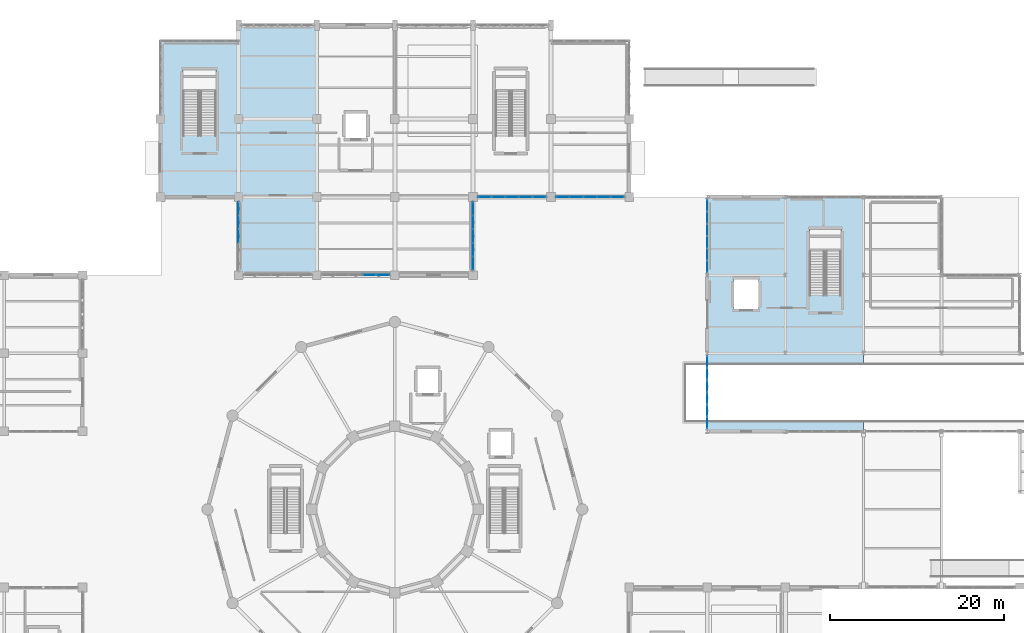
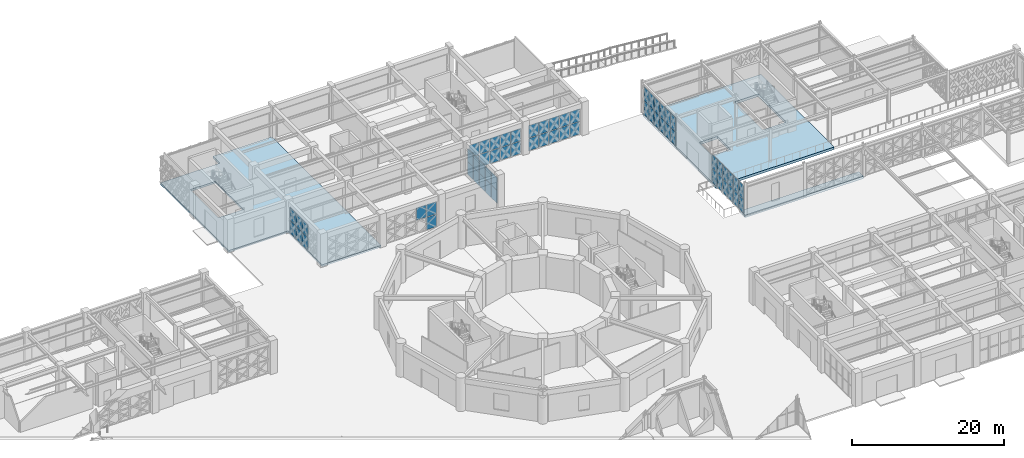
# One storey, part 108 of 140: 63 plates, 3 slabs, 7 elements without a shape of their own.
"""IFC4 building model written with IfcOpenShell, lengths in metres."""

from ifc_helpers import new_model, si_unit, direction, frame, origin, origin_2d, place, context, subcontext, project, spatial, polyline, rectangle, outline, extrude, material, layer, layer_set, type_object, element, aggregate, save


model = new_model("IFC4")

# Units and contexts
model_context = context("Model", 3, precision=1e-05, world=origin(), true_north=direction((0.0, 1.0)))
body_context = subcontext(model_context, "Body", "Model", "MODEL_VIEW")
ifc_project = project(units=[si_unit("LENGTHUNIT", "METRE"), si_unit("AREAUNIT", "SQUARE_METRE"), si_unit("VOLUMEUNIT", "CUBIC_METRE"), si_unit("PLANEANGLEUNIT", "RADIAN"), si_unit("MASSUNIT", "GRAM", prefix="KILO")], contexts=[model_context])

# Site, building, storey
site_placement = place(None, origin())
site = spatial("IfcSite", under=ifc_project, at=site_placement, CompositionType="ELEMENT")
building_placement = place(site_placement, origin())
building = spatial("IfcBuilding", under=site, at=building_placement, Name="Haizhuo Lancet Aquarium", CompositionType="ELEMENT")
storey_placement = place(building_placement, origin())
storey = spatial("IfcBuildingStorey", under=building, at=storey_placement, Name="L00", CompositionType="ELEMENT", Elevation=0.0)

# Curtain wall, plates
ifc_material_1 = material(Name="Aluminium 6063-T6", Category="aluminium")
curtain_wall_type_1 = type_object("IfcCurtainWallType", Name="CWO-7910x4220", PredefinedType="NOTDEFINED", material=ifc_material_1)
curtain_wall_1_placement = place(storey_placement, origin())
curtain_wall_1 = element("IfcCurtainWall", 1, at=curtain_wall_1_placement, inside=storey, type_object=curtain_wall_type_1, Name="L00 curtain wall CW-V5-L00-125", PredefinedType="NOTDEFINED")
ifc_material_2 = material(Name="Laminated Low-E Glass", Category="glass")
ifc_layer_1 = layer(ifc_material_2, 0.028076171875)
ifc_layer_set_1 = layer_set([ifc_layer_1], Name="Laminated Low-E Glass")
plate_type_1 = type_object("IfcPlateType", Name="CW-PNL-1", PredefinedType="CURTAIN_PANEL", material=ifc_layer_set_1)
plate_1_placement = place(storey_placement, frame((-1.35498046875, 27.0, 0.075439453125), z_axis=(0.0, 0.0, 1.0), x_axis=(-1.0, 0.0, 0.0)))
plate_1 = element("IfcPlate", 2, at=plate_1_placement, type_object=plate_type_1, Name="CWO-79x42 panel 1.1", PredefinedType="CURTAIN_PANEL", context=body_context, shape_type="SweptSolid", body=[
    extrude(rectangle(XDim=1.469970703125, YDim=0.028076171875, at=origin_2d()), origin(), (0.0, 0.0, 1.0), 1.9970703125),
])
plate_2_placement = place(storey_placement, frame((-1.35498046875, 27.0, 2.14697265625), z_axis=(0.0, 0.0, 1.0), x_axis=(-1.0, 0.0, 0.0)))
plate_2 = element("IfcPlate", 3, at=plate_2_placement, type_object=plate_type_1, Name="CWO-79x42 panel 1.2", PredefinedType="CURTAIN_PANEL", context=body_context, shape_type="SweptSolid", body=[
    extrude(rectangle(XDim=1.469970703125, YDim=0.028076171875, at=origin_2d()), origin(), (0.0, 0.0, 1.0), 1.998046875),
])
plate_3_placement = place(storey_placement, frame((-2.91796875, 27.0, 2.14697265625), z_axis=(0.0, 0.0, 1.0), x_axis=(-1.0, 0.0, 0.0)))
plate_3 = element("IfcPlate", 4, at=plate_3_placement, type_object=plate_type_1, Name="CWO-79x42 panel 2.2", PredefinedType="CURTAIN_PANEL", context=body_context, shape_type="SweptSolid", body=[
    extrude(rectangle(XDim=1.507080078125, YDim=0.028076171875, at=origin_2d()), origin(), (0.0, 0.0, 1.0), 1.998046875),
])
aggregate(curtain_wall_1, [plate_1, plate_2, plate_3])

curtain_wall_type_2 = type_object("IfcCurtainWallType", Name="CWD-7910x4220", PredefinedType="NOTDEFINED", material=ifc_material_1)
curtain_wall_2_placement = place(storey_placement, origin())
curtain_wall_2 = element("IfcCurtainWall", 5, at=curtain_wall_2_placement, inside=storey, type_object=curtain_wall_type_2, Name="L00 curtain wall CW-V5-L00-122", PredefinedType="NOTDEFINED")
ifc_layer_2 = layer(ifc_material_2, 0.033935546875)
ifc_layer_set_2 = layer_set([ifc_layer_2], Name="Laminated Low-E Glass")
plate_type_2 = type_object("IfcPlateType", Name="CW-PNL-2", PredefinedType="CURTAIN_PANEL", material=ifc_layer_set_2)
plate_4_placement = place(storey_placement, frame((25.64501953125, 36.0, 0.075439453125), z_axis=(0.0, 0.0, 1.0), x_axis=(-1.0, 0.0, 0.0)))
plate_4 = element("IfcPlate", 6, at=plate_4_placement, type_object=plate_type_2, Name="CWD-79x42 panel 1.1", PredefinedType="CURTAIN_PANEL", context=body_context, shape_type="SweptSolid", body=[
    extrude(rectangle(XDim=1.468994140625, YDim=0.033935546875, at=origin_2d()), origin(), (0.0, 0.0, 1.0), 1.9970703125),
])
plate_5_placement = place(storey_placement, frame((25.64501953125, 36.0, 2.14697265625), z_axis=(0.0, 0.0, 1.0), x_axis=(-1.0, 0.0, 0.0)))
plate_5 = element("IfcPlate", 7, at=plate_5_placement, type_object=plate_type_2, Name="CWD-79x42 panel 1.2", PredefinedType="CURTAIN_PANEL", context=body_context, shape_type="SweptSolid", body=[
    extrude(rectangle(XDim=1.468994140625, YDim=0.033935546875, at=origin_2d()), origin(), (0.0, 0.0, 1.0), 1.998046875),
])
plate_6_placement = place(storey_placement, frame((24.08203125, 36.0, 0.075439453125), z_axis=(0.0, 0.0, 1.0), x_axis=(-1.0, 0.0, 0.0)))
plate_6 = element("IfcPlate", 8, at=plate_6_placement, type_object=plate_type_2, Name="CWD-79x42 panel 2.1", PredefinedType="CURTAIN_PANEL", context=body_context, shape_type="SweptSolid", body=[
    extrude(rectangle(XDim=1.507080078125, YDim=0.033935546875, at=origin_2d()), origin(), (0.0, 0.0, 1.0), 1.9970703125),
])
plate_7_placement = place(storey_placement, frame((24.08203125, 36.0, 2.14697265625), z_axis=(0.0, 0.0, 1.0), x_axis=(-1.0, 0.0, 0.0)))
plate_7 = element("IfcPlate", 9, at=plate_7_placement, type_object=plate_type_2, Name="CWD-79x42 panel 2.2", PredefinedType="CURTAIN_PANEL", context=body_context, shape_type="SweptSolid", body=[
    extrude(rectangle(XDim=1.507080078125, YDim=0.033935546875, at=origin_2d()), origin(), (0.0, 0.0, 1.0), 1.998046875),
])
plate_8_placement = place(storey_placement, frame((22.5, 36.0, 0.075439453125), z_axis=(0.0, 0.0, 1.0), x_axis=(-1.0, 0.0, 0.0)))
plate_8 = element("IfcPlate", 10, at=plate_8_placement, type_object=plate_type_2, Name="CWD-79x42 panel 3.1", PredefinedType="CURTAIN_PANEL", context=body_context, shape_type="SweptSolid", body=[
    extrude(rectangle(XDim=1.507080078125, YDim=0.033935546875, at=origin_2d()), origin(), (0.0, 0.0, 1.0), 1.9970703125),
])
plate_9_placement = place(storey_placement, frame((22.5, 36.0, 2.14697265625), z_axis=(0.0, 0.0, 1.0), x_axis=(-1.0, 0.0, 0.0)))
plate_9 = element("IfcPlate", 11, at=plate_9_placement, type_object=plate_type_2, Name="CWD-79x42 panel 3.2", PredefinedType="CURTAIN_PANEL", context=body_context, shape_type="SweptSolid", body=[
    extrude(rectangle(XDim=1.507080078125, YDim=0.033935546875, at=origin_2d()), origin(), (0.0, 0.0, 1.0), 1.998046875),
])
plate_10_placement = place(storey_placement, frame((20.91796875, 36.0, 0.075439453125), z_axis=(0.0, 0.0, 1.0), x_axis=(-1.0, 0.0, 0.0)))
plate_10 = element("IfcPlate", 12, at=plate_10_placement, type_object=plate_type_2, Name="CWD-79x42 panel 4.1", PredefinedType="CURTAIN_PANEL", context=body_context, shape_type="SweptSolid", body=[
    extrude(rectangle(XDim=1.507080078125, YDim=0.033935546875, at=origin_2d()), origin(), (0.0, 0.0, 1.0), 1.9970703125),
])
plate_11_placement = place(storey_placement, frame((20.91796875, 36.0, 2.14697265625), z_axis=(0.0, 0.0, 1.0), x_axis=(-1.0, 0.0, 0.0)))
plate_11 = element("IfcPlate", 13, at=plate_11_placement, type_object=plate_type_2, Name="CWD-79x42 panel 4.2", PredefinedType="CURTAIN_PANEL", context=body_context, shape_type="SweptSolid", body=[
    extrude(rectangle(XDim=1.507080078125, YDim=0.033935546875, at=origin_2d()), origin(), (0.0, 0.0, 1.0), 1.998046875),
])
plate_12_placement = place(storey_placement, frame((19.35498046875, 36.0, 0.075439453125), z_axis=(0.0, 0.0, 1.0), x_axis=(-1.0, 0.0, 0.0)))
plate_12 = element("IfcPlate", 14, at=plate_12_placement, type_object=plate_type_2, Name="CWD-79x42 panel 5.1", PredefinedType="CURTAIN_PANEL", context=body_context, shape_type="SweptSolid", body=[
    extrude(rectangle(XDim=1.469970703125, YDim=0.033935546875, at=origin_2d()), origin(), (0.0, 0.0, 1.0), 1.9970703125),
])
plate_13_placement = place(storey_placement, frame((19.35498046875, 36.0, 2.14697265625), z_axis=(0.0, 0.0, 1.0), x_axis=(-1.0, 0.0, 0.0)))
plate_13 = element("IfcPlate", 15, at=plate_13_placement, type_object=plate_type_2, Name="CWD-79x42 panel 5.2", PredefinedType="CURTAIN_PANEL", context=body_context, shape_type="SweptSolid", body=[
    extrude(rectangle(XDim=1.469970703125, YDim=0.033935546875, at=origin_2d()), origin(), (0.0, 0.0, 1.0), 1.998046875),
])
aggregate(curtain_wall_2, [plate_4, plate_5, plate_6, plate_7, plate_8, plate_9, plate_10, plate_11, plate_12, plate_13])

curtain_wall_type_3 = type_object("IfcCurtainWallType", Name="CWD-8510x4630", PredefinedType="NOTDEFINED", material=ifc_material_1)
curtain_wall_3_placement = place(storey_placement, origin())
curtain_wall_3 = element("IfcCurtainWall", 16, at=curtain_wall_3_placement, inside=storey, type_object=curtain_wall_type_3, Name="L00 curtain wall CW-V7-L00-282", PredefinedType="NOTDEFINED")
plate_14_placement = place(storey_placement, frame((36.0, 9.97412109375, 0.080078125), z_axis=(0.0, 0.0, 1.0), x_axis=(0.0, 1.0, 0.0)))
plate_14 = element("IfcPlate", 17, at=plate_14_placement, type_object=plate_type_2, Name="CWD-85x46 panel 1.1", PredefinedType="CURTAIN_PANEL", context=body_context, shape_type="SweptSolid", body=[
    extrude(rectangle(XDim=1.298095703125, YDim=0.033935546875, at=origin_2d()), origin(), (0.0, 0.0, 1.0), 2.196044921875),
])
plate_15_placement = place(storey_placement, frame((36.0, 9.97412109375, 2.35595703125), z_axis=(0.0, 0.0, 1.0), x_axis=(0.0, 1.0, 0.0)))
plate_15 = element("IfcPlate", 18, at=plate_15_placement, type_object=plate_type_2, Name="CWD-85x46 panel 1.2", PredefinedType="CURTAIN_PANEL", context=body_context, shape_type="SweptSolid", body=[
    extrude(rectangle(XDim=1.298095703125, YDim=0.033935546875, at=origin_2d()), origin(), (0.0, 0.0, 1.0), 2.196044921875),
])
plate_16_placement = place(storey_placement, frame((36.0, 11.3720703125, 0.080078125), z_axis=(0.0, 0.0, 1.0), x_axis=(0.0, 1.0, 0.0)))
plate_16 = element("IfcPlate", 19, at=plate_16_placement, type_object=plate_type_2, Name="CWD-85x46 panel 2.1", PredefinedType="CURTAIN_PANEL", context=body_context, shape_type="SweptSolid", body=[
    extrude(rectangle(XDim=1.337890625, YDim=0.033935546875, at=origin_2d()), origin(), (0.0, 0.0, 1.0), 2.196044921875),
])
plate_17_placement = place(storey_placement, frame((36.0, 11.3720703125, 2.35595703125), z_axis=(0.0, 0.0, 1.0), x_axis=(0.0, 1.0, 0.0)))
plate_17 = element("IfcPlate", 20, at=plate_17_placement, type_object=plate_type_2, Name="CWD-85x46 panel 2.2", PredefinedType="CURTAIN_PANEL", context=body_context, shape_type="SweptSolid", body=[
    extrude(rectangle(XDim=1.337890625, YDim=0.033935546875, at=origin_2d()), origin(), (0.0, 0.0, 1.0), 2.196044921875),
])
plate_18_placement = place(storey_placement, frame((36.0, 12.791015625, 0.080078125), z_axis=(0.0, 0.0, 1.0), x_axis=(0.0, 1.0, 0.0)))
plate_18 = element("IfcPlate", 21, at=plate_18_placement, type_object=plate_type_2, Name="CWD-85x46 panel 3.1", PredefinedType="CURTAIN_PANEL", context=body_context, shape_type="SweptSolid", body=[
    extrude(rectangle(XDim=1.337890625, YDim=0.033935546875, at=origin_2d()), origin(), (0.0, 0.0, 1.0), 2.196044921875),
])
plate_19_placement = place(storey_placement, frame((36.0, 12.791015625, 2.35595703125), z_axis=(0.0, 0.0, 1.0), x_axis=(0.0, 1.0, 0.0)))
plate_19 = element("IfcPlate", 22, at=plate_19_placement, type_object=plate_type_2, Name="CWD-85x46 panel 3.2", PredefinedType="CURTAIN_PANEL", context=body_context, shape_type="SweptSolid", body=[
    extrude(rectangle(XDim=1.337890625, YDim=0.033935546875, at=origin_2d()), origin(), (0.0, 0.0, 1.0), 2.196044921875),
])
plate_20_placement = place(storey_placement, frame((36.0, 14.208984375, 0.080078125), z_axis=(0.0, 0.0, 1.0), x_axis=(0.0, 1.0, 0.0)))
plate_20 = element("IfcPlate", 23, at=plate_20_placement, type_object=plate_type_2, Name="CWD-85x46 panel 4.1", PredefinedType="CURTAIN_PANEL", context=body_context, shape_type="SweptSolid", body=[
    extrude(rectangle(XDim=1.337890625, YDim=0.033935546875, at=origin_2d()), origin(), (0.0, 0.0, 1.0), 2.196044921875),
])
plate_21_placement = place(storey_placement, frame((36.0, 14.208984375, 2.35595703125), z_axis=(0.0, 0.0, 1.0), x_axis=(0.0, 1.0, 0.0)))
plate_21 = element("IfcPlate", 24, at=plate_21_placement, type_object=plate_type_2, Name="CWD-85x46 panel 4.2", PredefinedType="CURTAIN_PANEL", context=body_context, shape_type="SweptSolid", body=[
    extrude(rectangle(XDim=1.337890625, YDim=0.033935546875, at=origin_2d()), origin(), (0.0, 0.0, 1.0), 2.196044921875),
])
plate_22_placement = place(storey_placement, frame((36.0, 15.626953125, 0.080078125), z_axis=(0.0, 0.0, 1.0), x_axis=(0.0, 1.0, 0.0)))
plate_22 = element("IfcPlate", 25, at=plate_22_placement, type_object=plate_type_2, Name="CWD-85x46 panel 5.1", PredefinedType="CURTAIN_PANEL", context=body_context, shape_type="SweptSolid", body=[
    extrude(rectangle(XDim=1.337890625, YDim=0.033935546875, at=origin_2d()), origin(), (0.0, 0.0, 1.0), 2.196044921875),
])
plate_23_placement = place(storey_placement, frame((36.0, 15.626953125, 2.35595703125), z_axis=(0.0, 0.0, 1.0), x_axis=(0.0, 1.0, 0.0)))
plate_23 = element("IfcPlate", 26, at=plate_23_placement, type_object=plate_type_2, Name="CWD-85x46 panel 5.2", PredefinedType="CURTAIN_PANEL", context=body_context, shape_type="SweptSolid", body=[
    extrude(rectangle(XDim=1.337890625, YDim=0.033935546875, at=origin_2d()), origin(), (0.0, 0.0, 1.0), 2.196044921875),
])
plate_24_placement = place(storey_placement, frame((36.0, 17.02587890625, 0.080078125), z_axis=(0.0, 0.0, 1.0), x_axis=(0.0, 1.0, 0.0)))
plate_24 = element("IfcPlate", 27, at=plate_24_placement, type_object=plate_type_2, Name="CWD-85x46 panel 6.1", PredefinedType="CURTAIN_PANEL", context=body_context, shape_type="SweptSolid", body=[
    extrude(rectangle(XDim=1.298095703125, YDim=0.033935546875, at=origin_2d()), origin(), (0.0, 0.0, 1.0), 2.196044921875),
])
plate_25_placement = place(storey_placement, frame((36.0, 17.02587890625, 2.35595703125), z_axis=(0.0, 0.0, 1.0), x_axis=(0.0, 1.0, 0.0)))
plate_25 = element("IfcPlate", 28, at=plate_25_placement, type_object=plate_type_2, Name="CWD-85x46 panel 6.2", PredefinedType="CURTAIN_PANEL", context=body_context, shape_type="SweptSolid", body=[
    extrude(rectangle(XDim=1.298095703125, YDim=0.033935546875, at=origin_2d()), origin(), (0.0, 0.0, 1.0), 2.196044921875),
])
aggregate(curtain_wall_3, [plate_14, plate_15, plate_16, plate_17, plate_18, plate_19, plate_20, plate_21, plate_22, plate_23, plate_24, plate_25])

curtain_wall_4_placement = place(storey_placement, origin())
curtain_wall_4 = element("IfcCurtainWall", 29, at=curtain_wall_4_placement, inside=storey, type_object=curtain_wall_type_2, Name="L00 curtain wall CW-V5-L00-123", PredefinedType="NOTDEFINED")
ifc_layer_3 = layer(ifc_material_2, 0.0419921875)
ifc_layer_set_3 = layer_set([ifc_layer_3], Name="Laminated Low-E Glass")
plate_type_3 = type_object("IfcPlateType", Name="CW-PNL-3", PredefinedType="CURTAIN_PANEL", material=ifc_layer_set_3)
plate_26_placement = place(storey_placement, frame((16.64404296875, 36.0, 0.080078125), z_axis=(0.0, 0.0, 1.0), x_axis=(-1.0, 0.0, 0.0)))
plate_26 = element("IfcPlate", 30, at=plate_26_placement, type_object=plate_type_3, Name="CWD-79x42 panel 1.1", PredefinedType="CURTAIN_PANEL", context=body_context, shape_type="SweptSolid", body=[
    extrude(rectangle(XDim=1.4619140625, YDim=0.0419921875, at=origin_2d()), origin(), (0.0, 0.0, 1.0), 1.989990234375),
])
plate_27_placement = place(storey_placement, frame((16.64404296875, 36.0, 2.14990234375), z_axis=(0.0, 0.0, 1.0), x_axis=(-1.0, 0.0, 0.0)))
plate_27 = element("IfcPlate", 31, at=plate_27_placement, type_object=plate_type_3, Name="CWD-79x42 panel 1.2", PredefinedType="CURTAIN_PANEL", context=body_context, shape_type="SweptSolid", body=[
    extrude(rectangle(XDim=1.4619140625, YDim=0.0419921875, at=origin_2d()), origin(), (0.0, 0.0, 1.0), 1.989990234375),
])
plate_28_placement = place(storey_placement, frame((15.08203125, 36.0, 0.080078125), z_axis=(0.0, 0.0, 1.0), x_axis=(-1.0, 0.0, 0.0)))
plate_28 = element("IfcPlate", 32, at=plate_28_placement, type_object=plate_type_3, Name="CWD-79x42 panel 2.1", PredefinedType="CURTAIN_PANEL", context=body_context, shape_type="SweptSolid", body=[
    extrude(rectangle(XDim=1.501953125, YDim=0.0419921875, at=origin_2d()), origin(), (0.0, 0.0, 1.0), 1.989990234375),
])
plate_29_placement = place(storey_placement, frame((15.08203125, 36.0, 2.14990234375), z_axis=(0.0, 0.0, 1.0), x_axis=(-1.0, 0.0, 0.0)))
plate_29 = element("IfcPlate", 33, at=plate_29_placement, type_object=plate_type_3, Name="CWD-79x42 panel 2.2", PredefinedType="CURTAIN_PANEL", context=body_context, shape_type="SweptSolid", body=[
    extrude(rectangle(XDim=1.501953125, YDim=0.0419921875, at=origin_2d()), origin(), (0.0, 0.0, 1.0), 1.989990234375),
])
plate_30_placement = place(storey_placement, frame((13.5, 36.0, 0.080078125), z_axis=(0.0, 0.0, 1.0), x_axis=(-1.0, 0.0, 0.0)))
plate_30 = element("IfcPlate", 34, at=plate_30_placement, type_object=plate_type_3, Name="CWD-79x42 panel 3.1", PredefinedType="CURTAIN_PANEL", context=body_context, shape_type="SweptSolid", body=[
    extrude(rectangle(XDim=1.501953125, YDim=0.0419921875, at=origin_2d()), origin(), (0.0, 0.0, 1.0), 1.989990234375),
])
plate_31_placement = place(storey_placement, frame((13.5, 36.0, 2.14990234375), z_axis=(0.0, 0.0, 1.0), x_axis=(-1.0, 0.0, 0.0)))
plate_31 = element("IfcPlate", 35, at=plate_31_placement, type_object=plate_type_3, Name="CWD-79x42 panel 3.2", PredefinedType="CURTAIN_PANEL", context=body_context, shape_type="SweptSolid", body=[
    extrude(rectangle(XDim=1.501953125, YDim=0.0419921875, at=origin_2d()), origin(), (0.0, 0.0, 1.0), 1.989990234375),
])
plate_32_placement = place(storey_placement, frame((11.91796875, 36.0, 0.080078125), z_axis=(0.0, 0.0, 1.0), x_axis=(-1.0, 0.0, 0.0)))
plate_32 = element("IfcPlate", 36, at=plate_32_placement, type_object=plate_type_3, Name="CWD-79x42 panel 4.1", PredefinedType="CURTAIN_PANEL", context=body_context, shape_type="SweptSolid", body=[
    extrude(rectangle(XDim=1.501953125, YDim=0.0419921875, at=origin_2d()), origin(), (0.0, 0.0, 1.0), 1.989990234375),
])
plate_33_placement = place(storey_placement, frame((11.91796875, 36.0, 2.14990234375), z_axis=(0.0, 0.0, 1.0), x_axis=(-1.0, 0.0, 0.0)))
plate_33 = element("IfcPlate", 37, at=plate_33_placement, type_object=plate_type_3, Name="CWD-79x42 panel 4.2", PredefinedType="CURTAIN_PANEL", context=body_context, shape_type="SweptSolid", body=[
    extrude(rectangle(XDim=1.501953125, YDim=0.0419921875, at=origin_2d()), origin(), (0.0, 0.0, 1.0), 1.989990234375),
])
plate_34_placement = place(storey_placement, frame((10.35595703125, 36.0, 0.080078125), z_axis=(0.0, 0.0, 1.0), x_axis=(-1.0, 0.0, 0.0)))
plate_34 = element("IfcPlate", 38, at=plate_34_placement, type_object=plate_type_3, Name="CWD-79x42 panel 5.1", PredefinedType="CURTAIN_PANEL", context=body_context, shape_type="SweptSolid", body=[
    extrude(rectangle(XDim=1.4619140625, YDim=0.0419921875, at=origin_2d()), origin(), (0.0, 0.0, 1.0), 1.989990234375),
])
plate_35_placement = place(storey_placement, frame((10.35595703125, 36.0, 2.14990234375), z_axis=(0.0, 0.0, 1.0), x_axis=(-1.0, 0.0, 0.0)))
plate_35 = element("IfcPlate", 39, at=plate_35_placement, type_object=plate_type_3, Name="CWD-79x42 panel 5.2", PredefinedType="CURTAIN_PANEL", context=body_context, shape_type="SweptSolid", body=[
    extrude(rectangle(XDim=1.4619140625, YDim=0.0419921875, at=origin_2d()), origin(), (0.0, 0.0, 1.0), 1.989990234375),
])
aggregate(curtain_wall_4, [plate_26, plate_27, plate_28, plate_29, plate_30, plate_31, plate_32, plate_33, plate_34, plate_35])

curtain_wall_type_4 = type_object("IfcCurtainWallType", Name="CWD-7910x4270", PredefinedType="NOTDEFINED", material=ifc_material_1)
curtain_wall_5_placement = place(storey_placement, origin())
curtain_wall_5 = element("IfcCurtainWall", 40, at=curtain_wall_5_placement, inside=storey, type_object=curtain_wall_type_4, Name="L00 curtain wall CW-V5-L00-127", PredefinedType="NOTDEFINED")
plate_36_placement = place(storey_placement, frame((-18.0, 31.5, 0.0654296875), z_axis=(0.0, 0.0, 1.0), x_axis=(0.0, 1.0, 0.0)))
plate_36 = element("IfcPlate", 41, at=plate_36_placement, type_object=plate_type_3, Name="CWD-79x42 panel 3.1", PredefinedType="CURTAIN_PANEL", context=body_context, shape_type="SweptSolid", body=[
    extrude(rectangle(XDim=1.51708984375, YDim=0.0419921875, at=origin_2d()), origin(), (0.0, 0.0, 1.0), 2.037109375),
])
plate_37_placement = place(storey_placement, frame((-18.0, 31.5, 2.1669921875), z_axis=(0.0, 0.0, 1.0), x_axis=(0.0, 1.0, 0.0)))
plate_37 = element("IfcPlate", 42, at=plate_37_placement, type_object=plate_type_3, Name="CWD-79x42 panel 3.2", PredefinedType="CURTAIN_PANEL", context=body_context, shape_type="SweptSolid", body=[
    extrude(rectangle(XDim=1.51708984375, YDim=0.0419921875, at=origin_2d()), origin(), (0.0, 0.0, 1.0), 2.0380859375),
])
plate_38_placement = place(storey_placement, frame((-18.0, 33.08203125, 0.0654296875), z_axis=(0.0, 0.0, 1.0), x_axis=(0.0, 1.0, 0.0)))
plate_38 = element("IfcPlate", 43, at=plate_38_placement, type_object=plate_type_3, Name="CWD-79x42 panel 4.1", PredefinedType="CURTAIN_PANEL", context=body_context, shape_type="SweptSolid", body=[
    extrude(rectangle(XDim=1.51708984375, YDim=0.0419921875, at=origin_2d()), origin(), (0.0, 0.0, 1.0), 2.037109375),
])
plate_39_placement = place(storey_placement, frame((-18.0, 33.08203125, 2.1669921875), z_axis=(0.0, 0.0, 1.0), x_axis=(0.0, 1.0, 0.0)))
plate_39 = element("IfcPlate", 44, at=plate_39_placement, type_object=plate_type_3, Name="CWD-79x42 panel 4.2", PredefinedType="CURTAIN_PANEL", context=body_context, shape_type="SweptSolid", body=[
    extrude(rectangle(XDim=1.51708984375, YDim=0.0419921875, at=origin_2d()), origin(), (0.0, 0.0, 1.0), 2.0380859375),
])
plate_40_placement = place(storey_placement, frame((-18.0, 34.64794921875, 0.0654296875), z_axis=(0.0, 0.0, 1.0), x_axis=(0.0, 1.0, 0.0)))
plate_40 = element("IfcPlate", 45, at=plate_40_placement, type_object=plate_type_3, Name="CWD-79x42 panel 5.1", PredefinedType="CURTAIN_PANEL", context=body_context, shape_type="SweptSolid", body=[
    extrude(rectangle(XDim=1.48388671875, YDim=0.0419921875, at=origin_2d()), origin(), (0.0, 0.0, 1.0), 2.037109375),
])
plate_41_placement = place(storey_placement, frame((-18.0, 34.64794921875, 2.1669921875), z_axis=(0.0, 0.0, 1.0), x_axis=(0.0, 1.0, 0.0)))
plate_41 = element("IfcPlate", 46, at=plate_41_placement, type_object=plate_type_3, Name="CWD-79x42 panel 5.2", PredefinedType="CURTAIN_PANEL", context=body_context, shape_type="SweptSolid", body=[
    extrude(rectangle(XDim=1.48388671875, YDim=0.0419921875, at=origin_2d()), origin(), (0.0, 0.0, 1.0), 2.0380859375),
])
aggregate(curtain_wall_5, [plate_36, plate_37, plate_38, plate_39, plate_40, plate_41])

curtain_wall_6_placement = place(storey_placement, origin())
curtain_wall_6 = element("IfcCurtainWall", 47, at=curtain_wall_6_placement, inside=storey, type_object=curtain_wall_type_3, Name="L00 curtain wall CW-V7-L00-283", PredefinedType="NOTDEFINED")
plate_42_placement = place(storey_placement, frame((36.0, 27.969970703125, 0.06494140625), z_axis=(0.0, 0.0, 1.0), x_axis=(0.0, 1.0, 0.0)))
plate_42 = element("IfcPlate", 48, at=plate_42_placement, type_object=plate_type_3, Name="CWD-85x46 panel 1.1", PredefinedType="CURTAIN_PANEL", context=body_context, shape_type="SweptSolid", body=[
    extrude(rectangle(XDim=1.321044921875, YDim=0.0419921875, at=origin_2d()), origin(), (0.0, 0.0, 1.0), 2.218017578125),
])
plate_43_placement = place(storey_placement, frame((36.0, 27.969970703125, 2.3486328125), z_axis=(0.0, 0.0, 1.0), x_axis=(0.0, 1.0, 0.0)))
plate_43 = element("IfcPlate", 49, at=plate_43_placement, type_object=plate_type_3, Name="CWD-85x46 panel 1.2", PredefinedType="CURTAIN_PANEL", context=body_context, shape_type="SweptSolid", body=[
    extrude(rectangle(XDim=1.321044921875, YDim=0.0419921875, at=origin_2d()), origin(), (0.0, 0.0, 1.0), 2.218994140625),
])
plate_44_placement = place(storey_placement, frame((36.0, 29.373046875, 0.06494140625), z_axis=(0.0, 0.0, 1.0), x_axis=(0.0, 1.0, 0.0)))
plate_44 = element("IfcPlate", 50, at=plate_44_placement, type_object=plate_type_3, Name="CWD-85x46 panel 2.1", PredefinedType="CURTAIN_PANEL", context=body_context, shape_type="SweptSolid", body=[
    extrude(rectangle(XDim=1.35302734375, YDim=0.0419921875, at=origin_2d()), origin(), (0.0, 0.0, 1.0), 2.218017578125),
])
plate_45_placement = place(storey_placement, frame((36.0, 29.373046875, 2.3486328125), z_axis=(0.0, 0.0, 1.0), x_axis=(0.0, 1.0, 0.0)))
plate_45 = element("IfcPlate", 51, at=plate_45_placement, type_object=plate_type_3, Name="CWD-85x46 panel 2.2", PredefinedType="CURTAIN_PANEL", context=body_context, shape_type="SweptSolid", body=[
    extrude(rectangle(XDim=1.35302734375, YDim=0.0419921875, at=origin_2d()), origin(), (0.0, 0.0, 1.0), 2.218994140625),
])
plate_46_placement = place(storey_placement, frame((36.0, 30.791015625, 0.06494140625), z_axis=(0.0, 0.0, 1.0), x_axis=(0.0, 1.0, 0.0)))
plate_46 = element("IfcPlate", 52, at=plate_46_placement, type_object=plate_type_3, Name="CWD-85x46 panel 3.1", PredefinedType="CURTAIN_PANEL", context=body_context, shape_type="SweptSolid", body=[
    extrude(rectangle(XDim=1.35302734375, YDim=0.0419921875, at=origin_2d()), origin(), (0.0, 0.0, 1.0), 2.218017578125),
])
plate_47_placement = place(storey_placement, frame((36.0, 30.791015625, 2.3486328125), z_axis=(0.0, 0.0, 1.0), x_axis=(0.0, 1.0, 0.0)))
plate_47 = element("IfcPlate", 53, at=plate_47_placement, type_object=plate_type_3, Name="CWD-85x46 panel 3.2", PredefinedType="CURTAIN_PANEL", context=body_context, shape_type="SweptSolid", body=[
    extrude(rectangle(XDim=1.35302734375, YDim=0.0419921875, at=origin_2d()), origin(), (0.0, 0.0, 1.0), 2.218994140625),
])
plate_48_placement = place(storey_placement, frame((36.0, 32.208984375, 0.06494140625), z_axis=(0.0, 0.0, 1.0), x_axis=(0.0, 1.0, 0.0)))
plate_48 = element("IfcPlate", 54, at=plate_48_placement, type_object=plate_type_3, Name="CWD-85x46 panel 4.1", PredefinedType="CURTAIN_PANEL", context=body_context, shape_type="SweptSolid", body=[
    extrude(rectangle(XDim=1.35302734375, YDim=0.0419921875, at=origin_2d()), origin(), (0.0, 0.0, 1.0), 2.218017578125),
])
plate_49_placement = place(storey_placement, frame((36.0, 32.208984375, 2.3486328125), z_axis=(0.0, 0.0, 1.0), x_axis=(0.0, 1.0, 0.0)))
plate_49 = element("IfcPlate", 55, at=plate_49_placement, type_object=plate_type_3, Name="CWD-85x46 panel 4.2", PredefinedType="CURTAIN_PANEL", context=body_context, shape_type="SweptSolid", body=[
    extrude(rectangle(XDim=1.35302734375, YDim=0.0419921875, at=origin_2d()), origin(), (0.0, 0.0, 1.0), 2.218994140625),
])
plate_50_placement = place(storey_placement, frame((36.0, 33.6279296875, 0.06494140625), z_axis=(0.0, 0.0, 1.0), x_axis=(0.0, 1.0, 0.0)))
plate_50 = element("IfcPlate", 56, at=plate_50_placement, type_object=plate_type_3, Name="CWD-85x46 panel 5.1", PredefinedType="CURTAIN_PANEL", context=body_context, shape_type="SweptSolid", body=[
    extrude(rectangle(XDim=1.35302734375, YDim=0.0419921875, at=origin_2d()), origin(), (0.0, 0.0, 1.0), 2.218017578125),
])
plate_51_placement = place(storey_placement, frame((36.0, 33.6279296875, 2.3486328125), z_axis=(0.0, 0.0, 1.0), x_axis=(0.0, 1.0, 0.0)))
plate_51 = element("IfcPlate", 57, at=plate_51_placement, type_object=plate_type_3, Name="CWD-85x46 panel 5.2", PredefinedType="CURTAIN_PANEL", context=body_context, shape_type="SweptSolid", body=[
    extrude(rectangle(XDim=1.35302734375, YDim=0.0419921875, at=origin_2d()), origin(), (0.0, 0.0, 1.0), 2.218994140625),
])
plate_52_placement = place(storey_placement, frame((36.0, 35.030029296875, 0.06494140625), z_axis=(0.0, 0.0, 1.0), x_axis=(0.0, 1.0, 0.0)))
plate_52 = element("IfcPlate", 58, at=plate_52_placement, type_object=plate_type_3, Name="CWD-85x46 panel 6.1", PredefinedType="CURTAIN_PANEL", context=body_context, shape_type="SweptSolid", body=[
    extrude(rectangle(XDim=1.321044921875, YDim=0.0419921875, at=origin_2d()), origin(), (0.0, 0.0, 1.0), 2.218017578125),
])
plate_53_placement = place(storey_placement, frame((36.0, 35.030029296875, 2.3486328125), z_axis=(0.0, 0.0, 1.0), x_axis=(0.0, 1.0, 0.0)))
plate_53 = element("IfcPlate", 59, at=plate_53_placement, type_object=plate_type_3, Name="CWD-85x46 panel 6.2", PredefinedType="CURTAIN_PANEL", context=body_context, shape_type="SweptSolid", body=[
    extrude(rectangle(XDim=1.321044921875, YDim=0.0419921875, at=origin_2d()), origin(), (0.0, 0.0, 1.0), 2.218994140625),
])
aggregate(curtain_wall_6, [plate_42, plate_43, plate_44, plate_45, plate_46, plate_47, plate_48, plate_49, plate_50, plate_51, plate_52, plate_53])

curtain_wall_7_placement = place(storey_placement, origin())
curtain_wall_7 = element("IfcCurtainWall", 60, at=curtain_wall_7_placement, inside=storey, type_object=curtain_wall_type_4, Name="L00 curtain wall CW-V5-L00-124", PredefinedType="NOTDEFINED")
ifc_layer_4 = layer(ifc_material_2, 0.052001953125)
ifc_layer_set_4 = layer_set([ifc_layer_4], Name="Laminated Low-E Glass")
plate_type_4 = type_object("IfcPlateType", Name="CW-PNL-4", PredefinedType="CURTAIN_PANEL", material=ifc_layer_set_4)
plate_54_placement = place(storey_placement, frame((9.0, 34.64794921875, 0.0654296875), z_axis=(0.0, 0.0, 1.0), x_axis=(0.0, -1.0, 0.0)))
plate_54 = element("IfcPlate", 61, at=plate_54_placement, type_object=plate_type_4, Name="CWD-79x42 panel 1.1", PredefinedType="CURTAIN_PANEL", context=body_context, shape_type="SweptSolid", body=[
    extrude(rectangle(XDim=1.48388671875, YDim=0.052001953125, at=origin_2d()), origin(), (0.0, 0.0, 1.0), 2.037109375),
])
plate_55_placement = place(storey_placement, frame((9.0, 34.64794921875, 2.1669921875), z_axis=(0.0, 0.0, 1.0), x_axis=(0.0, -1.0, 0.0)))
plate_55 = element("IfcPlate", 62, at=plate_55_placement, type_object=plate_type_4, Name="CWD-79x42 panel 1.2", PredefinedType="CURTAIN_PANEL", context=body_context, shape_type="SweptSolid", body=[
    extrude(rectangle(XDim=1.48388671875, YDim=0.052001953125, at=origin_2d()), origin(), (0.0, 0.0, 1.0), 2.0380859375),
])
plate_56_placement = place(storey_placement, frame((9.0, 33.08203125, 0.0654296875), z_axis=(0.0, 0.0, 1.0), x_axis=(0.0, -1.0, 0.0)))
plate_56 = element("IfcPlate", 63, at=plate_56_placement, type_object=plate_type_4, Name="CWD-79x42 panel 2.1", PredefinedType="CURTAIN_PANEL", context=body_context, shape_type="SweptSolid", body=[
    extrude(rectangle(XDim=1.51708984375, YDim=0.052001953125, at=origin_2d()), origin(), (0.0, 0.0, 1.0), 2.037109375),
])
plate_57_placement = place(storey_placement, frame((9.0, 33.08203125, 2.1669921875), z_axis=(0.0, 0.0, 1.0), x_axis=(0.0, -1.0, 0.0)))
plate_57 = element("IfcPlate", 64, at=plate_57_placement, type_object=plate_type_4, Name="CWD-79x42 panel 2.2", PredefinedType="CURTAIN_PANEL", context=body_context, shape_type="SweptSolid", body=[
    extrude(rectangle(XDim=1.51708984375, YDim=0.052001953125, at=origin_2d()), origin(), (0.0, 0.0, 1.0), 2.0380859375),
])
plate_58_placement = place(storey_placement, frame((9.0, 31.5, 0.0654296875), z_axis=(0.0, 0.0, 1.0), x_axis=(0.0, -1.0, 0.0)))
plate_58 = element("IfcPlate", 65, at=plate_58_placement, type_object=plate_type_4, Name="CWD-79x42 panel 3.1", PredefinedType="CURTAIN_PANEL", context=body_context, shape_type="SweptSolid", body=[
    extrude(rectangle(XDim=1.51708984375, YDim=0.052001953125, at=origin_2d()), origin(), (0.0, 0.0, 1.0), 2.037109375),
])
plate_59_placement = place(storey_placement, frame((9.0, 31.5, 2.1669921875), z_axis=(0.0, 0.0, 1.0), x_axis=(0.0, -1.0, 0.0)))
plate_59 = element("IfcPlate", 66, at=plate_59_placement, type_object=plate_type_4, Name="CWD-79x42 panel 3.2", PredefinedType="CURTAIN_PANEL", context=body_context, shape_type="SweptSolid", body=[
    extrude(rectangle(XDim=1.51708984375, YDim=0.052001953125, at=origin_2d()), origin(), (0.0, 0.0, 1.0), 2.0380859375),
])
plate_60_placement = place(storey_placement, frame((9.0, 29.91796875, 0.0654296875), z_axis=(0.0, 0.0, 1.0), x_axis=(0.0, -1.0, 0.0)))
plate_60 = element("IfcPlate", 67, at=plate_60_placement, type_object=plate_type_4, Name="CWD-79x42 panel 4.1", PredefinedType="CURTAIN_PANEL", context=body_context, shape_type="SweptSolid", body=[
    extrude(rectangle(XDim=1.51708984375, YDim=0.052001953125, at=origin_2d()), origin(), (0.0, 0.0, 1.0), 2.037109375),
])
plate_61_placement = place(storey_placement, frame((9.0, 29.91796875, 2.1669921875), z_axis=(0.0, 0.0, 1.0), x_axis=(0.0, -1.0, 0.0)))
plate_61 = element("IfcPlate", 68, at=plate_61_placement, type_object=plate_type_4, Name="CWD-79x42 panel 4.2", PredefinedType="CURTAIN_PANEL", context=body_context, shape_type="SweptSolid", body=[
    extrude(rectangle(XDim=1.51708984375, YDim=0.052001953125, at=origin_2d()), origin(), (0.0, 0.0, 1.0), 2.0380859375),
])
plate_62_placement = place(storey_placement, frame((9.0, 28.35205078125, 0.0654296875), z_axis=(0.0, 0.0, 1.0), x_axis=(0.0, -1.0, 0.0)))
plate_62 = element("IfcPlate", 69, at=plate_62_placement, type_object=plate_type_4, Name="CWD-79x42 panel 5.1", PredefinedType="CURTAIN_PANEL", context=body_context, shape_type="SweptSolid", body=[
    extrude(rectangle(XDim=1.48388671875, YDim=0.052001953125, at=origin_2d()), origin(), (0.0, 0.0, 1.0), 2.037109375),
])
plate_63_placement = place(storey_placement, frame((9.0, 28.35205078125, 2.1669921875), z_axis=(0.0, 0.0, 1.0), x_axis=(0.0, -1.0, 0.0)))
plate_63 = element("IfcPlate", 70, at=plate_63_placement, type_object=plate_type_4, Name="CWD-79x42 panel 5.2", PredefinedType="CURTAIN_PANEL", context=body_context, shape_type="SweptSolid", body=[
    extrude(rectangle(XDim=1.48388671875, YDim=0.052001953125, at=origin_2d()), origin(), (0.0, 0.0, 1.0), 2.0380859375),
])
aggregate(curtain_wall_7, [plate_54, plate_55, plate_56, plate_57, plate_58, plate_59, plate_60, plate_61, plate_62, plate_63])

# Slabs
ifc_material_3 = material(Name="Concrete C45/55", Category="concrete")
ifc_layer_5 = layer(ifc_material_3, 0.39990234375)
ifc_layer_set_5 = layer_set([ifc_layer_5], Name="Concrete C45/55")
slab_type_1 = type_object("IfcSlabType", Name="SLB-LSS-400", PredefinedType="FLOOR", material=ifc_layer_set_5)
slab_1_placement = place(storey_placement, frame((0.0, 0.0, -0.39990234375)))
element("IfcSlab", 71, at=slab_1_placement, inside=storey, type_object=slab_type_1, Name="L00 structural slab SL-L00-V7-01", PredefinedType="FLOOR", context=body_context, shape_type="SweptSolid", body=[
    extrude(outline(polyline([(36.0, 9.0), (54.0, 9.0), (54.0, 10.199951171875), (36.0, 10.199951171875), (36.0, 9.0)])), origin(), (0.0, 0.0, 1.0), 0.39990234375),
])
slab_2_placement = place(storey_placement, frame((0.0, 0.0, -0.39990234375)))
element("IfcSlab", 72, at=slab_2_placement, inside=storey, type_object=slab_type_1, Name="L00 structural slab SL-L00-V7-02", PredefinedType="FLOOR", context=body_context, shape_type="SweptSolid", body=[
    extrude(outline(polyline([(54.0, 16.699951171875), (54.0, 36.0), (36.0, 36.0), (36.0, 16.699951171875), (54.0, 16.699951171875)]), holes=[polyline([(47.800048828125, 24.830078125), (51.39990234375, 24.830078125), (51.39990234375, 32.25), (47.800048828125, 32.25), (47.800048828125, 24.830078125)]), polyline([(39.10009765625, 26.5), (39.10009765625, 23.10009765625), (41.89990234375, 23.10009765625), (41.89990234375, 26.5), (39.10009765625, 26.5)])]), origin(), (0.0, 0.0, 1.0), 0.39990234375),
])
ifc_material_4 = material(Name="Concrete C40/50", Category="concrete")
ifc_layer_6 = layer(ifc_material_4, 0.300048828125)
ifc_layer_set_6 = layer_set([ifc_layer_6], Name="Concrete C40/50")
slab_type_2 = type_object("IfcSlabType", Name="SLB-PLINTH-300", PredefinedType="FLOOR", material=ifc_layer_set_6)
slab_3_placement = place(storey_placement, frame((0.0, 0.0, -0.300048828125)))
element("IfcSlab", 73, at=slab_3_placement, inside=storey, type_object=slab_type_2, Name="L00 structural slab SL-L00-V5-01", PredefinedType="FLOOR", context=body_context, shape_type="SweptSolid", body=[
    extrude(outline(polyline([(-18.0, 54.0), (-27.0, 54.0), (-27.0, 36.0), (-18.0, 36.0), (-18.0, 27.0), (-9.0, 27.0), (-9.0, 55.800048828125), (-18.0, 55.800048828125), (-18.0, 54.0)]), holes=[polyline([(-24.39990234375, 50.64990234375), (-24.39990234375, 43.22998046875), (-20.60009765625, 43.22998046875), (-20.60009765625, 50.64990234375), (-24.39990234375, 50.64990234375)])]), origin(), (0.0, 0.0, 1.0), 0.300048828125),
])

save(model, "model.ifc")
